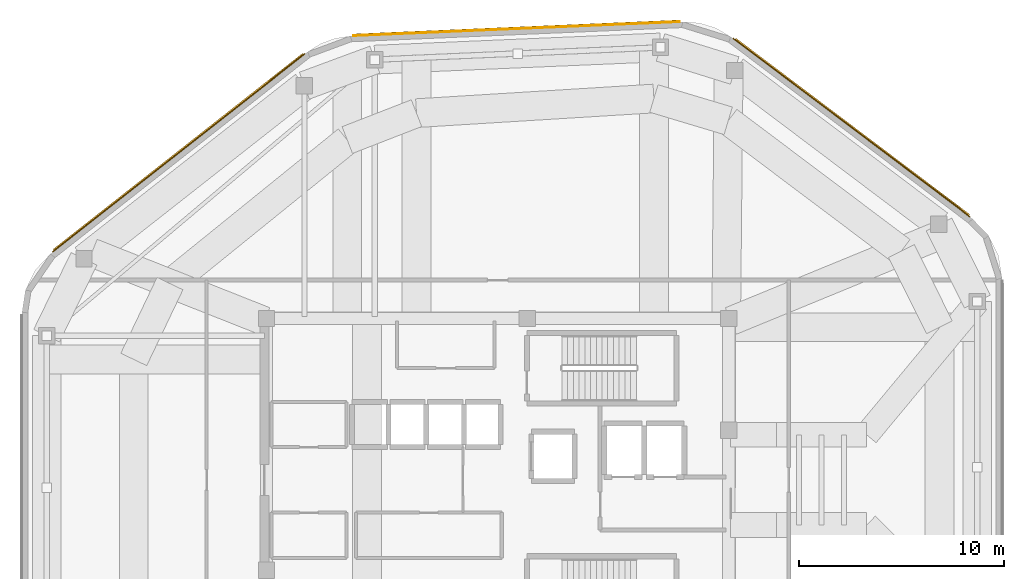
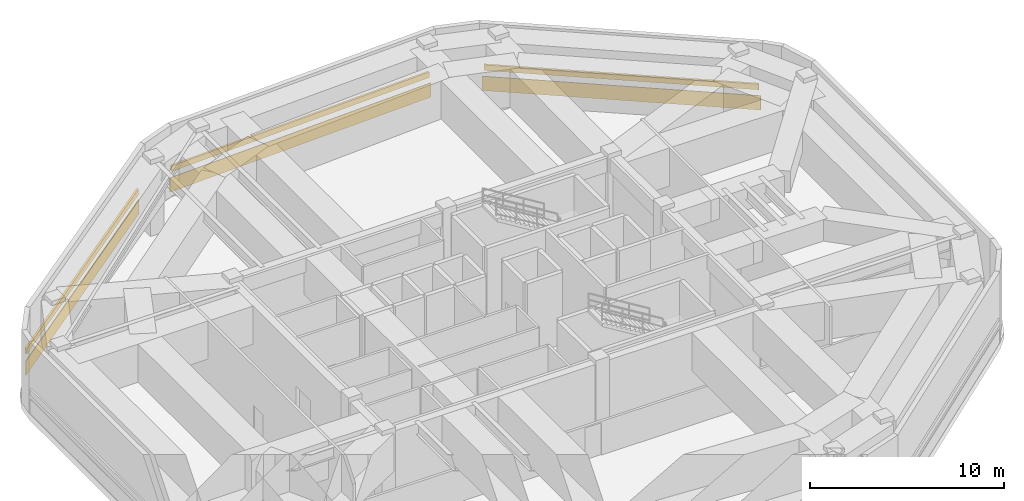
# One storey, part 7 of 7: 3 coverings, 3 shading devices.
"""IFC4 building model written with IfcOpenShell, lengths in metres."""

from ifc_helpers import new_model, si_unit, direction, frame, origin, origin_2d, place, context, subcontext, project, spatial, rectangle, extrude, material, layer, layer_set, type_object, element, save


model = new_model("IFC4")

# Units and contexts
model_context = context("Model", 3, precision=1e-05, world=origin(), true_north=direction((0.0, 1.0)))
body_context = subcontext(model_context, "Body", "Model", "MODEL_VIEW")
ifc_project = project(units=[si_unit("LENGTHUNIT", "METRE"), si_unit("AREAUNIT", "SQUARE_METRE"), si_unit("VOLUMEUNIT", "CUBIC_METRE"), si_unit("PLANEANGLEUNIT", "RADIAN"), si_unit("MASSUNIT", "GRAM", prefix="KILO")], contexts=[model_context])

# Site, building, storey
site_placement = place(None, origin())
site = spatial("IfcSite", under=ifc_project, at=site_placement, CompositionType="ELEMENT")
building_placement = place(site_placement, origin())
building = spatial("IfcBuilding", under=site, at=building_placement, Name="Zulverin Broadcast Headquarters", CompositionType="ELEMENT")
storey_placement = place(building_placement, frame((0.0, 0.0, 308.60009765625)))
storey = spatial("IfcBuildingStorey", under=building, at=storey_placement, Name="L79", CompositionType="ELEMENT", Elevation=308.60009765625)

# Coverings
ifc_material_1 = material(Name="Brushed pale-aluminium rainscreen cladding", Category="aluminium")
ifc_layer = layer(ifc_material_1, 0.0400390625, Name="Brushed pale-aluminium rainscreen cladding", Category="aluminium")
ifc_layer_set = layer_set([ifc_layer], Name="Brushed pale-aluminium rainscreen cladding")
covering_type = type_object("IfcCoveringType", Name="COV-CLAD-MEP", PredefinedType="CLADDING", material=ifc_layer_set)
covering_1_placement = place(storey_placement, frame((54.270751953125, 42.383544921875, 0.099853515625), z_axis=(0.0, 0.0, 1.0), x_axis=(-0.79863025819, 0.601821992539, 0.0)))
element("IfcCovering", 1, at=covering_1_placement, inside=storey, type_object=covering_type, Name="L79 Brushed Pale-Aluminium Cladding Band 4", PredefinedType="CLADDING", context=body_context, shape_type="SweptSolid", body=[
    extrude(rectangle(XDim=14.47998046875, YDim=0.0400390625, at=origin_2d()), origin(), (0.0, 0.0, 1.0), 0.89990234375),
])
covering_2_placement = place(storey_placement, frame((37.923828125, 47.207275390625, 0.099853515625), z_axis=(0.0, 0.0, 1.0), x_axis=(-0.999084562818, -0.042778924013, 0.0)))
element("IfcCovering", 2, at=covering_2_placement, inside=storey, type_object=covering_type, Name="L79 Brushed Pale-Aluminium Cladding Band 5", PredefinedType="CLADDING", context=body_context, shape_type="SweptSolid", body=[
    extrude(rectangle(XDim=15.950927734375, YDim=0.0400390625, at=origin_2d()), origin(), (0.0, 0.0, 1.0), 0.89990234375),
])
covering_3_placement = place(storey_placement, frame((21.4501953125, 41.158203125, 0.099853515625), z_axis=(0.0, 0.0, 1.0), x_axis=(-0.786379006636, -0.617744330546, 0.0)))
element("IfcCovering", 3, at=covering_3_placement, inside=storey, type_object=covering_type, Name="L79 Brushed Pale-Aluminium Cladding Band 6", PredefinedType="CLADDING", context=body_context, shape_type="SweptSolid", body=[
    extrude(rectangle(XDim=15.67236328125, YDim=0.0400390625, at=origin_2d()), origin(), (0.0, 0.0, 1.0), 0.89990234375),
])

# Shading devices
ifc_material_2 = material(Name="Anodized pale-metal aluminium acoustic louvre", Category="aluminium")
shading_device_type = type_object("IfcShadingDeviceType", Name="SHD-LOUVRE-350", PredefinedType="USERDEFINED", material=ifc_material_2)
shading_device_1_placement = place(storey_placement, frame((54.288818359375, 42.40771484375, 1.374755859375), z_axis=(0.0, 0.0, 1.0), x_axis=(-0.79863025819, 0.601821992539, 0.0)))
element("IfcShadingDevice", 4, at=shading_device_1_placement, inside=storey, type_object=shading_device_type, Name="L79 Plant Room Acoustic Louvre Screen 4", ObjectType="LOUVRE", PredefinedType="USERDEFINED", context=body_context, shape_type="SweptSolid", body=[
    extrude(rectangle(XDim=14.27978515625, YDim=0.1201171875, at=origin_2d()), origin(), (0.0, 0.0, 1.0), 0.35009765625),
])
shading_device_2_placement = place(storey_placement, frame((37.922607421875, 47.2373046875, 1.374755859375), z_axis=(0.0, 0.0, 1.0), x_axis=(-0.999084562818, -0.042778924013, 0.0)))
element("IfcShadingDevice", 5, at=shading_device_2_placement, inside=storey, type_object=shading_device_type, Name="L79 Plant Room Acoustic Louvre Screen 5", ObjectType="LOUVRE", PredefinedType="USERDEFINED", context=body_context, shape_type="SweptSolid", body=[
    extrude(rectangle(XDim=15.7509765625, YDim=0.1201171875, at=origin_2d()), origin(), (0.0, 0.0, 1.0), 0.35009765625),
])
shading_device_3_placement = place(storey_placement, frame((21.431396484375, 41.181884765625, 1.374755859375), z_axis=(0.0, 0.0, 1.0), x_axis=(-0.786379006636, -0.617744330546, 0.0)))
element("IfcShadingDevice", 6, at=shading_device_3_placement, inside=storey, type_object=shading_device_type, Name="L79 Plant Room Acoustic Louvre Screen 6", ObjectType="LOUVRE", PredefinedType="USERDEFINED", context=body_context, shape_type="SweptSolid", body=[
    extrude(rectangle(XDim=15.472412109375, YDim=0.1201171875, at=origin_2d()), origin(), (0.0, 0.0, 1.0), 0.35009765625),
])

save(model, "model.ifc")
